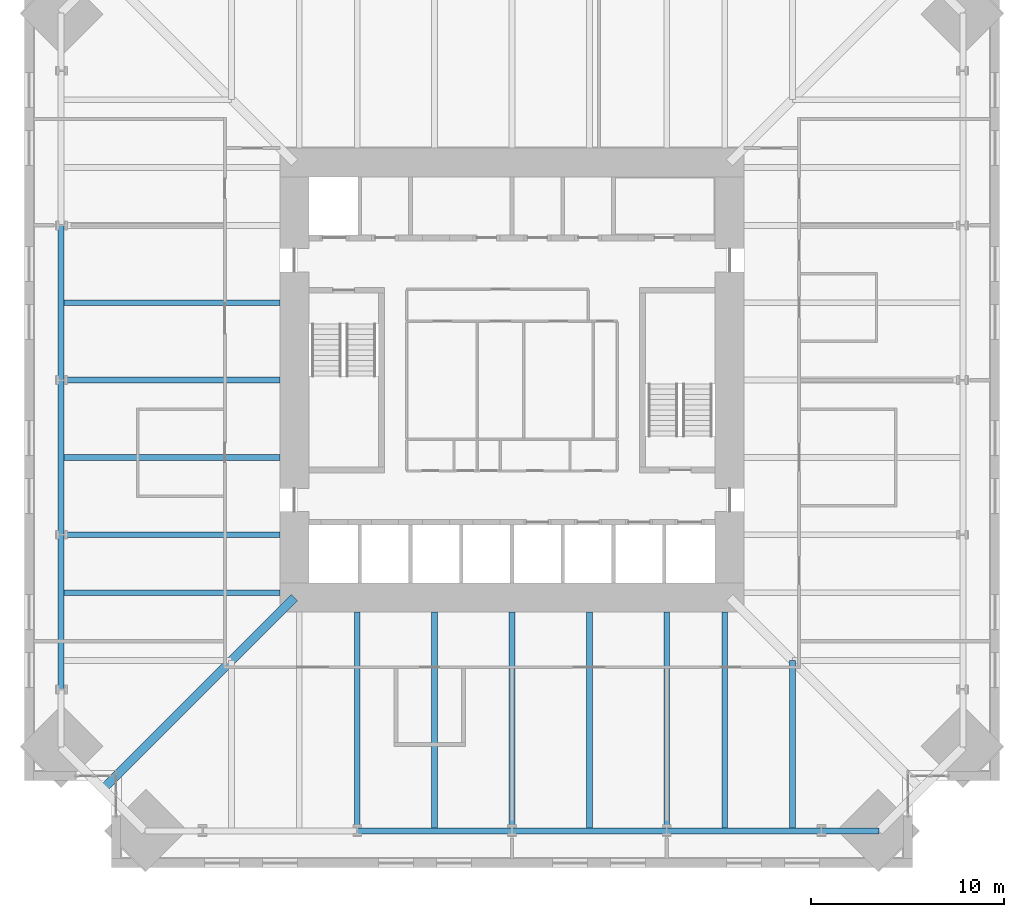
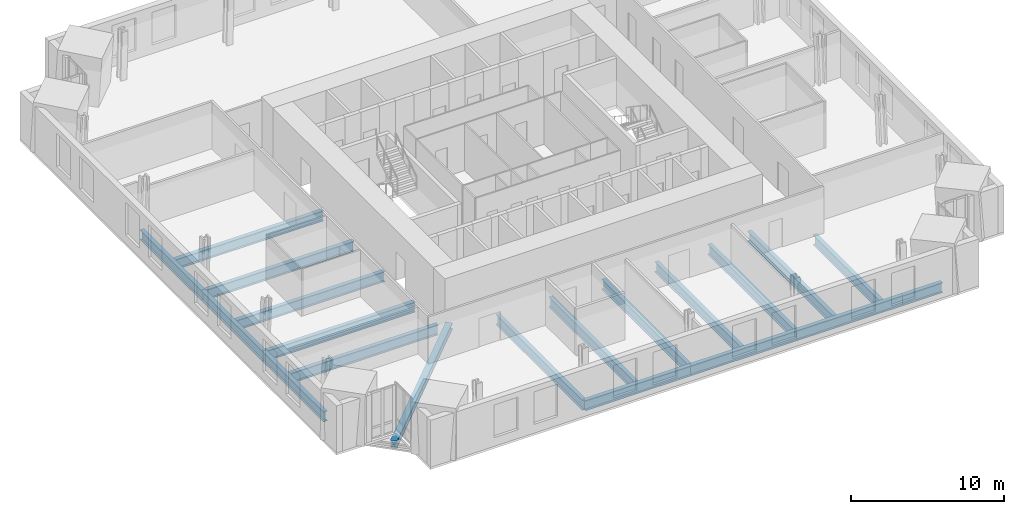
# One storey, part 3 of 15: 20 beams.
"""IFC4 building model written with IfcOpenShell, lengths in metres."""

from ifc_helpers import new_model, si_unit, direction, frame, origin, origin_2d, place, context, subcontext, project, spatial, i_section, extrude, material, material_profile, profile_set, type_object, element, save


model = new_model("IFC4")

# Units and contexts
model_context = context("Model", 3, precision=1e-05, world=origin(), true_north=direction((0.0, 1.0)))
body_context = subcontext(model_context, "Body", "Model", "MODEL_VIEW")
ifc_project = project(units=[si_unit("LENGTHUNIT", "METRE"), si_unit("AREAUNIT", "SQUARE_METRE"), si_unit("VOLUMEUNIT", "CUBIC_METRE"), si_unit("PLANEANGLEUNIT", "RADIAN"), si_unit("MASSUNIT", "GRAM", prefix="KILO")], contexts=[model_context])

# Site, building, storey
site_placement = place(None, origin())
site = spatial("IfcSite", under=ifc_project, at=site_placement, CompositionType="ELEMENT")
building_placement = place(site_placement, origin())
building = spatial("IfcBuilding", under=site, at=building_placement, Name="Peilmerk Tower", CompositionType="ELEMENT")
storey_placement = place(building_placement, frame((0.0, 0.0, 187.800048828125)))
storey = spatial("IfcBuildingStorey", under=building, at=storey_placement, Name="L40", CompositionType="ELEMENT", Elevation=187.800048828125)

# Beams
ifc_material = material(Name="Steel S460", Category="steel")
ifc_material_profile_1 = material_profile(ifc_material, i_section(OverallWidth=0.302978515625, OverallDepth=0.81396484375, WebThickness=0.02099609375, FlangeThickness=0.0400390625, at=origin_2d()), Name="HEM 800")
ifc_profile_set_1 = profile_set([ifc_material_profile_1], Name="Steel S460")
beam_type_1 = type_object("IfcBeamType", Name="B26 HEM 800 floor beam", PredefinedType="BEAM", material=ifc_profile_set_1)
for number, where, z_axis, x_axis, name in (
    (1, (-8.0, -12.0, -0.5771484375), (0.0, -1.0, 0.0), (1.0, 0.0, 0.0), "Floor beam L40"),
    (2, (-4.0, -12.0, -0.5771484375), (0.0, -1.0, 0.0), (1.0, 0.0, 0.0), "Floor beam L40"),
    (3, (0.0, -12.0, -0.5771484375), (0.0, -1.0, 0.0), (1.0, 0.0, 0.0), "Floor beam L40"),
    (4, (4.0, -12.0, -0.5771484375), (0.0, -1.0, 0.0), (1.0, 0.0, 0.0), "Floor beam L40"),
    (5, (8.0, -12.0, -0.5771484375), (0.0, -1.0, 0.0), (1.0, 0.0, 0.0), "Floor beam L40"),
    (6, (11.0, -12.0, -0.5771484375), (0.0, -1.0, 0.0), (1.0, 0.0, 0.0), "Floor beam L40"),
    (7, (-12.0, 4.0, -0.5771484375), (-1.0, 0.0, 0.0), (0.0, -1.0, 0.0), "Floor beam L40"),
    (8, (-12.0, 0.0, -0.5771484375), (-1.0, 0.0, 0.0), (0.0, -1.0, 0.0), "Floor beam L40"),
    (9, (-12.0, -4.0, -0.5771484375), (-1.0, 0.0, 0.0), (0.0, -1.0, 0.0), "Floor beam L40"),
    (10, (-12.0, -8.0, -0.5771484375), (-1.0, 0.0, 0.0), (0.0, -1.0, 0.0), "Floor beam L40"),
    (11, (-12.0, -11.0, -0.5771484375), (-1.0, 0.0, 0.0), (0.0, -1.0, 0.0), "Floor beam L40"),
):
    element("IfcBeam", number, at=place(storey_placement, frame(where, z_axis=z_axis, x_axis=x_axis)), inside=storey, type_object=beam_type_1, Name=name, PredefinedType="BEAM", context=body_context, shape_type="SweptSolid", body=[
        extrude(i_section(OverallWidth=0.302978515625, OverallDepth=0.81396484375, WebThickness=0.02099609375, FlangeThickness=0.0400390625, at=origin_2d()), origin(), (0.0, 0.0, 1.0), 11.32421875),
    ])
beam_1_placement = place(storey_placement, frame((14.5, -14.5, -0.5771484375), z_axis=(0.0, -1.0, 0.0), x_axis=(1.0, 0.0, 0.0)))
element("IfcBeam", 12, at=beam_1_placement, inside=storey, type_object=beam_type_1, Name="Floor beam L40", PredefinedType="BEAM", context=body_context, shape_type="SweptSolid", body=[
    extrude(i_section(OverallWidth=0.302978515625, OverallDepth=0.81396484375, WebThickness=0.02099609375, FlangeThickness=0.0400390625, at=origin_2d()), origin(), (0.0, 0.0, 1.0), 8.82421875),
])
ifc_material_profile_2 = material_profile(ifc_material, i_section(OverallWidth=0.302978515625, OverallDepth=0.81396484375, WebThickness=0.02099609375, FlangeThickness=0.0400390625, at=origin_2d()), Name="HEM 800")
ifc_profile_set_2 = profile_set([ifc_material_profile_2], Name="Steel S460")
beam_type_2 = type_object("IfcBeamType", Name="B35 HEM 800 edge beam", PredefinedType="SPANDREL", material=ifc_profile_set_2)
for number, where, z_axis, x_axis, name in (
    (13, (-8.0, -23.32421875, -0.5771484375), (1.0, 0.0, 0.0), (0.0, 1.0, 0.0), "Edge beam L40"),
    (14, (0.0, -23.32421875, -0.5771484375), (1.0, 0.0, 0.0), (0.0, 1.0, 0.0), "Edge beam L40"),
    (15, (8.0, -23.32421875, -0.5771484375), (1.0, 0.0, 0.0), (0.0, 1.0, 0.0), "Edge beam L40"),
):
    element("IfcBeam", number, at=place(storey_placement, frame(where, z_axis=z_axis, x_axis=x_axis)), inside=storey, type_object=beam_type_2, Name=name, PredefinedType="SPANDREL", context=body_context, shape_type="SweptSolid", body=[
        extrude(i_section(OverallWidth=0.302978515625, OverallDepth=0.81396484375, WebThickness=0.02099609375, FlangeThickness=0.0400390625, at=origin_2d()), origin(), (0.0, 0.0, 1.0), 8.0),
    ])
beam_2_placement = place(storey_placement, frame((16.0, -23.32421875, -0.5771484375), z_axis=(1.0, 0.0, 0.0), x_axis=(0.0, 1.0, 0.0)))
element("IfcBeam", 16, at=beam_2_placement, inside=storey, type_object=beam_type_2, Name="Edge beam L40", PredefinedType="SPANDREL", context=body_context, shape_type="SweptSolid", body=[
    extrude(i_section(OverallWidth=0.302978515625, OverallDepth=0.81396484375, WebThickness=0.02099609375, FlangeThickness=0.0400390625, at=origin_2d()), origin(), (0.0, 0.0, 1.0), 2.97412109375),
])
for number, where, z_axis, x_axis, name in (
    (17, (-23.32421875, 8.0, -0.5771484375), (0.0, -1.0, 0.0), (1.0, 0.0, 0.0), "Edge beam L40"),
    (18, (-23.32421875, 0.0, -0.5771484375), (0.0, -1.0, 0.0), (1.0, 0.0, 0.0), "Edge beam L40"),
    (19, (-23.32421875, -8.0, -0.5771484375), (0.0, -1.0, 0.0), (1.0, 0.0, 0.0), "Edge beam L40"),
):
    element("IfcBeam", number, at=place(storey_placement, frame(where, z_axis=z_axis, x_axis=x_axis)), inside=storey, type_object=beam_type_2, Name=name, PredefinedType="SPANDREL", context=body_context, shape_type="SweptSolid", body=[
        extrude(i_section(OverallWidth=0.302978515625, OverallDepth=0.81396484375, WebThickness=0.02099609375, FlangeThickness=0.0400390625, at=origin_2d()), origin(), (0.0, 0.0, 1.0), 8.0),
    ])
ifc_material_profile_3 = material_profile(ifc_material, i_section(OverallWidth=0.4541015625, OverallDepth=0.569091796875, WebThickness=0.077880859375, FlangeThickness=0.125, at=origin_2d()), Name="HD 400x1086")
ifc_profile_set_3 = profile_set([ifc_material_profile_3], Name="Steel S460")
beam_type_3 = type_object("IfcBeamType", Name="B9 HD 400x1086 corner girder", PredefinedType="BEAM", material=ifc_profile_set_3)
beam_3_placement = place(storey_placement, frame((-11.25, -11.25, -0.45458984375), z_axis=(-0.707106781187, -0.707106781187, 0.0), x_axis=(0.707106781187, -0.707106781187, 0.0)))
element("IfcBeam", 20, at=beam_3_placement, inside=storey, type_object=beam_type_3, Name="Corner girder L40", PredefinedType="BEAM", context=body_context, shape_type="SweptSolid", body=[
    extrude(i_section(OverallWidth=0.4541015625, OverallDepth=0.569091796875, WebThickness=0.077880859375, FlangeThickness=0.125, at=origin_2d()), origin(), (0.0, 0.0, 1.0), 13.99951171875),
])

save(model, "model.ifc")
